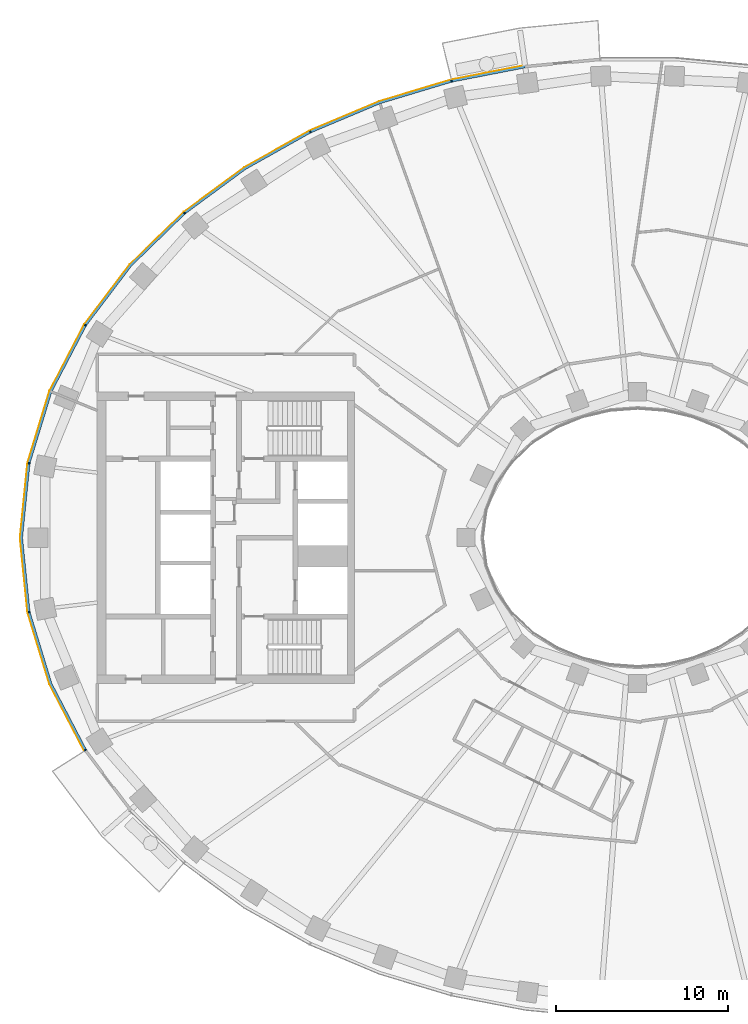
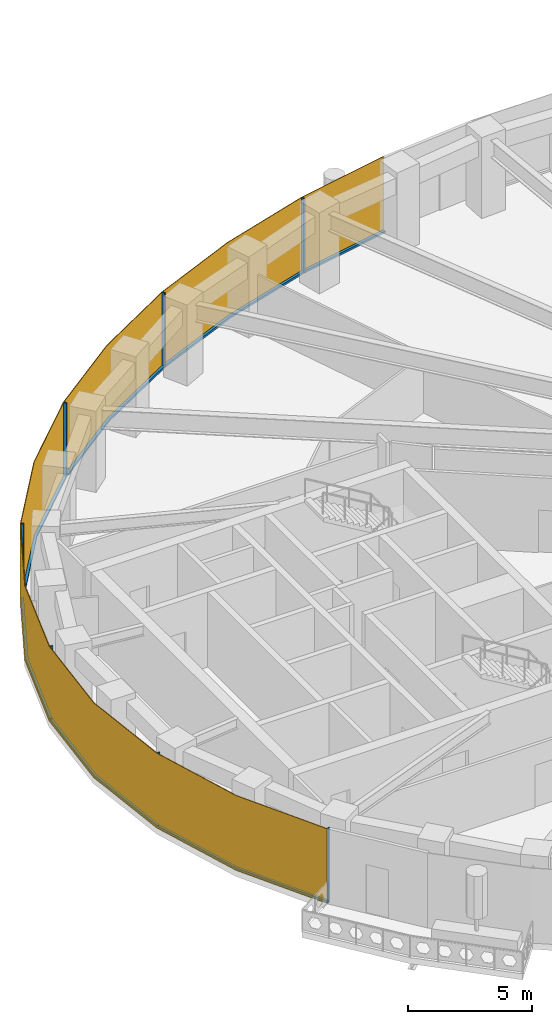
# One storey, part 11 of 16: 14 members, 1 curtain wall.
"""IFC4 building model written with IfcOpenShell, lengths in metres."""

from ifc_helpers import new_model, si_unit, direction, frame, origin, origin_2d, place, context, subcontext, project, spatial, polyline, rectangle, outline, extrude, material, layer, layer_set, material_profile, profile_set, type_object, element, aggregate, save


model = new_model("IFC4")

# Units and contexts
model_context = context("Model", 3, precision=1e-05, world=origin(), true_north=direction((0.0, 1.0)))
body_context = subcontext(model_context, "Body", "Model", "MODEL_VIEW")
ifc_project = project(units=[si_unit("LENGTHUNIT", "METRE"), si_unit("AREAUNIT", "SQUARE_METRE"), si_unit("VOLUMEUNIT", "CUBIC_METRE"), si_unit("PLANEANGLEUNIT", "RADIAN"), si_unit("MASSUNIT", "GRAM", prefix="KILO")], contexts=[model_context])

# Member
ifc_material_1 = material(Name="Aluminium 6063-T6 black anodised", Category="aluminium")
ifc_material_profile = material_profile(ifc_material_1, rectangle(XDim=0.1201171875, YDim=0.06005859375, at=origin_2d()), Name="120x60")
ifc_profile_set = profile_set([ifc_material_profile], Name="Aluminium 6063-T6 black anodised")
member_type_1 = type_object("IfcMemberType", Name="ENV-MULLION-A-120", PredefinedType="MULLION", material=ifc_profile_set)
site_placement = place(None, origin())
building_placement = place(site_placement, origin())
storey_placement = place(building_placement, frame((0.0, 0.0, 174.0)))
member_1_placement = place(storey_placement, frame((-10.84326171875, 26.60498046875, 0.0), z_axis=(0.0, 0.0, 1.0), x_axis=(0.239799081534, -0.970822538106, 0.0)))
member_1 = element("IfcMember", 1, at=member_1_placement, type_object=member_type_1, Name="Mullion A radial 15", PredefinedType="MULLION", context=body_context, shape_type="SweptSolid", body=[
    extrude(rectangle(XDim=0.1201171875, YDim=0.06005859375, at=origin_2d()), origin(), (0.0, 0.0, 1.0), 3.699951171875),
])

member_2_placement = place(storey_placement, frame((-19.06787109375, 23.6474609375, 0.0), z_axis=(0.0, 0.0, 1.0), x_axis=(0.439237769837, -0.898370848563, 0.0)))
member_2 = element("IfcMember", 2, at=member_2_placement, type_object=member_type_1, Name="Mullion A radial 17", PredefinedType="MULLION", context=body_context, shape_type="SweptSolid", body=[
    extrude(rectangle(XDim=0.1201171875, YDim=0.06005859375, at=origin_2d()), origin(), (0.0, 0.0, 1.0), 3.699951171875),
])

member_3_placement = place(storey_placement, frame((-26.403564453125, 18.9130859375, 0.0), z_axis=(0.0, 0.0, 1.0), x_axis=(0.646451313783, -0.762955240435, 0.0)))
member_3 = element("IfcMember", 3, at=member_3_placement, type_object=member_type_1, Name="Mullion A radial 19", PredefinedType="MULLION", context=body_context, shape_type="SweptSolid", body=[
    extrude(rectangle(XDim=0.1201171875, YDim=0.06005859375, at=origin_2d()), origin(), (0.0, 0.0, 1.0), 3.699951171875),
])

member_4_placement = place(storey_placement, frame((-32.177490234375, 12.385498046875, 0.0), z_axis=(0.0, 0.0, 1.0), x_axis=(0.844829880882, -0.53503501976, 0.0)))
member_4 = element("IfcMember", 4, at=member_4_placement, type_object=member_type_1, Name="Mullion A radial 21", PredefinedType="MULLION", context=body_context, shape_type="SweptSolid", body=[
    extrude(rectangle(XDim=0.1201171875, YDim=0.06005859375, at=origin_2d()), origin(), (0.0, 0.0, 1.0), 3.699951171875),
])

member_5_placement = place(storey_placement, frame((-35.470947265625, 4.340576171875, 0.0), z_axis=(0.0, 0.0, 1.0), x_axis=(0.980379083141, -0.19712141776, 0.0)))
member_5 = element("IfcMember", 5, at=member_5_placement, type_object=member_type_1, Name="Mullion A radial 23", PredefinedType="MULLION", context=body_context, shape_type="SweptSolid", body=[
    extrude(rectangle(XDim=0.1201171875, YDim=0.06005859375, at=origin_2d()), origin(), (0.0, 0.0, 1.0), 3.699951171875),
])

member_6_placement = place(storey_placement, frame((-35.470947265625, -4.340576171875, 0.0), z_axis=(0.0, 0.0, 1.0), x_axis=(0.980379083141, 0.19712141776, 0.0)))
member_6 = element("IfcMember", 6, at=member_6_placement, type_object=member_type_1, Name="Mullion A radial 25", PredefinedType="MULLION", context=body_context, shape_type="SweptSolid", body=[
    extrude(rectangle(XDim=0.1201171875, YDim=0.06005859375, at=origin_2d()), origin(), (0.0, 0.0, 1.0), 3.699951171875),
])

member_7_placement = place(storey_placement, frame((-32.177490234375, -12.385498046875, 0.0), z_axis=(0.0, 0.0, 1.0), x_axis=(0.844829880882, 0.53503501976, 0.0)))
member_7 = element("IfcMember", 7, at=member_7_placement, type_object=member_type_1, Name="Mullion A radial 27", PredefinedType="MULLION", context=body_context, shape_type="SweptSolid", body=[
    extrude(rectangle(XDim=0.1201171875, YDim=0.06005859375, at=origin_2d()), origin(), (0.0, 0.0, 1.0), 3.699951171875),
])

ifc_material_2 = material(Name="Aluminium 6063-T6 black anodised", Category="aluminium")
member_type_2 = type_object("IfcMemberType", Name="ENV-TRANSOM-A", PredefinedType="USERDEFINED", material=ifc_material_2)
member_8_placement = place(storey_placement, origin())
member_8 = element("IfcMember", 8, at=member_8_placement, type_object=member_type_2, Name="Transom A radial 14-15", ObjectType="TRANSOM", PredefinedType="USERDEFINED", context=body_context, shape_type="SweptSolid", body=[
    extrude(outline(polyline([(-6.57470703125, 27.49560546875), (-10.830078125, 26.66845703125), (-10.80126953125, 26.552001953125), (-6.5576171875, 27.376708984375), (-6.57470703125, 27.49560546875)])), origin(), (0.0, 0.0, 1.0), 0.10009765625),
])

member_9_placement = place(storey_placement, origin())
member_9 = element("IfcMember", 9, at=member_9_placement, type_object=member_type_2, Name="Transom A radial 15-17", ObjectType="TRANSOM", PredefinedType="USERDEFINED", context=body_context, shape_type="SweptSolid", body=[
    extrude(outline(polyline([(-10.884521484375, 26.655029296875), (-15.054443359375, 25.400146484375), (-19.068359375, 23.71240234375), (-19.015380859375, 23.604248046875), (-15.013916015625, 25.287109375), (-10.855712890625, 26.53857421875), (-10.884521484375, 26.655029296875)])), origin(), (0.0, 0.0, 1.0), 0.10009765625),
])

member_10_placement = place(storey_placement, origin())
member_10 = element("IfcMember", 10, at=member_10_placement, type_object=member_type_2, Name="Transom A radial 17-19", ObjectType="TRANSOM", PredefinedType="USERDEFINED", context=body_context, shape_type="SweptSolid", body=[
    extrude(outline(polyline([(-19.11865234375, 23.687744140625), (-22.9150390625, 21.556884765625), (-26.419921875, 18.975341796875), (-26.342041015625, 18.883544921875), (-22.85009765625, 21.455810546875), (-19.06591796875, 23.57958984375), (-19.11865234375, 23.687744140625)])), origin(), (0.0, 0.0, 1.0), 0.10009765625),
])

member_11_placement = place(storey_placement, origin())
member_11 = element("IfcMember", 11, at=member_11_placement, type_object=member_type_2, Name="Transom A radial 19-21", ObjectType="TRANSOM", PredefinedType="USERDEFINED", context=body_context, shape_type="SweptSolid", body=[
    extrude(outline(polyline([(-26.46240234375, 18.939208984375), (-29.58349609375, 15.906982421875), (-32.211181640625, 12.43994140625), (-32.109375, 12.37548828125), (-29.493408203125, 15.8271484375), (-26.384765625, 18.847412109375), (-26.46240234375, 18.939208984375)])), origin(), (0.0, 0.0, 1.0), 0.10009765625),
])

member_12_placement = place(storey_placement, origin())
member_12 = element("IfcMember", 12, at=member_12_placement, type_object=member_type_2, Name="Transom A radial 21-23", ObjectType="TRANSOM", PredefinedType="USERDEFINED", context=body_context, shape_type="SweptSolid", body=[
    extrude(outline(polyline([(-32.240966796875, 12.392578125), (-34.251220703125, 8.53662109375), (-35.521484375, 4.379150390625), (-35.4033203125, 4.355224609375), (-34.139892578125, 8.490966796875), (-32.139404296875, 12.328369140625), (-32.240966796875, 12.392578125)])), origin(), (0.0, 0.0, 1.0), 0.10009765625),
])

member_13_placement = place(storey_placement, origin())
member_13 = element("IfcMember", 13, at=member_13_placement, type_object=member_type_2, Name="Transom A radial 23-25", ObjectType="TRANSOM", PredefinedType="USERDEFINED", context=body_context, shape_type="SweptSolid", body=[
    extrude(outline(polyline([(-35.532470703125, 4.324462890625), (-35.9677734375, 0.0), (-35.532470703125, -4.324462890625), (-35.414306640625, -4.30078125), (-35.84716796875, 0.0), (-35.414306640625, 4.30078125), (-35.532470703125, 4.324462890625)])), origin(), (0.0, 0.0, 1.0), 0.10009765625),
])

member_14_placement = place(storey_placement, origin())
member_14 = element("IfcMember", 14, at=member_14_placement, type_object=member_type_2, Name="Transom A radial 25-27", ObjectType="TRANSOM", PredefinedType="USERDEFINED", context=body_context, shape_type="SweptSolid", body=[
    extrude(outline(polyline([(-35.521484375, -4.379150390625), (-34.251220703125, -8.53662109375), (-32.240966796875, -12.392578125), (-32.139404296875, -12.328369140625), (-34.139892578125, -8.490966796875), (-35.4033203125, -4.355224609375), (-35.521484375, -4.379150390625)])), origin(), (0.0, 0.0, 1.0), 0.10009765625),
])

# Site, building, storey
site = spatial("IfcSite", under=ifc_project, at=site_placement, CompositionType="ELEMENT")
building = spatial("IfcBuilding", under=site, at=building_placement, Name="Noorbagh Ring Tower", CompositionType="ELEMENT")
storey = spatial("IfcBuildingStorey", under=building, at=storey_placement, Name="L40", CompositionType="ELEMENT", Elevation=174.0)

# Curtain wall
ifc_material_3 = material(Name="Glass dark tinted laminated", Category="glass")
ifc_layer = layer(ifc_material_3, 0.031982421875)
ifc_layer_set = layer_set([ifc_layer], Name="Glass dark tinted laminated")
curtain_wall_type = type_object("IfcCurtainWallType", Name="ENV-CW-A", PredefinedType="NOTDEFINED", material=ifc_layer_set)
curtain_wall_placement = place(storey_placement, origin())
curtain_wall = element("IfcCurtainWall", 15, at=curtain_wall_placement, inside=storey, type_object=curtain_wall_type, Name="Curtain wall A R14", PredefinedType="NOTDEFINED", context=body_context, shape_type="SweptSolid", body=[
    extrude(outline(polyline([(-6.579345703125, 27.52734375), (-10.865234375, 26.6943359375), (-15.065185546875, 25.430419921875), (-19.108154296875, 23.730224609375), (-22.9326171875, 21.583740234375), (-26.463134765625, 18.9833984375), (-29.607666015625, 15.927978515625), (-32.255126953125, 12.434814453125), (-34.281005859375, 8.548828125), (-35.561279296875, 4.358642578125), (-36.0, 0.0), (-35.561279296875, -4.358642578125), (-34.281005859375, -8.548828125), (-32.264404296875, -12.4169921875), (-32.2373046875, -12.39990234375), (-34.251220703125, -8.53662109375), (-35.529541015625, -4.352294921875), (-35.9677734375, 0.0), (-35.529541015625, 4.352294921875), (-34.251220703125, 8.53662109375), (-32.22802734375, 12.41748046875), (-29.58349609375, 15.906982421875), (-26.4423828125, 18.958740234375), (-22.9150390625, 21.556884765625), (-19.093994140625, 23.701416015625), (-15.054443359375, 25.400146484375), (-10.857666015625, 26.6630859375), (-6.57470703125, 27.49560546875), (-6.579345703125, 27.52734375)])), origin(), (0.0, 0.0, 1.0), 3.699951171875),
])

aggregate(curtain_wall, [member_1, member_2, member_3, member_4, member_5, member_6, member_7, member_8, member_9, member_10, member_11, member_12, member_13, member_14])

save(model, "model.ifc")
